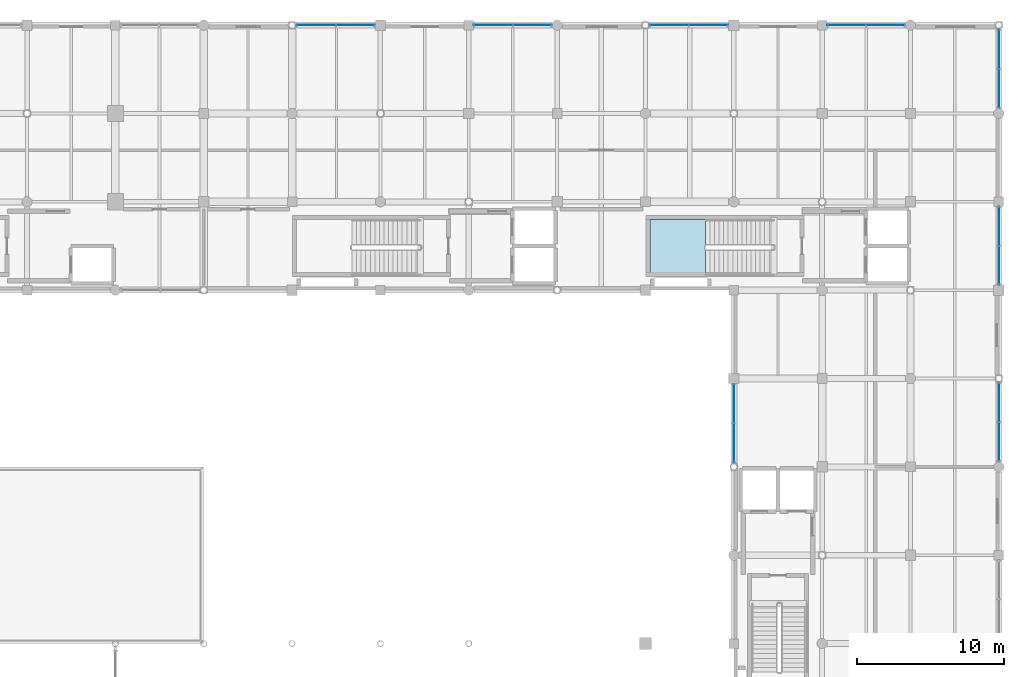
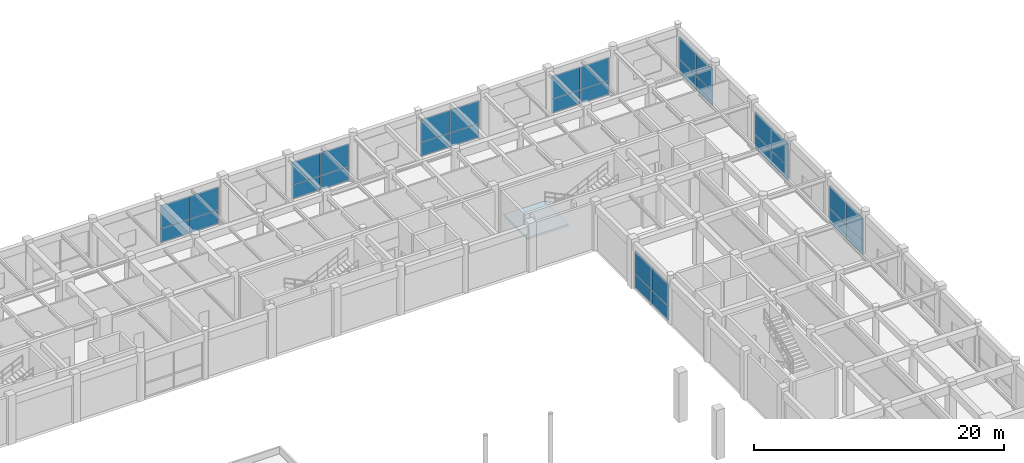
# One storey, part 90 of 123: 32 plates, 1 slab, 9 elements without a shape of their own.
"""IFC4 building model written with IfcOpenShell, lengths in metres."""

from ifc_helpers import new_model, si_unit, direction, frame, frame_2d, origin, place, context, subcontext, project, spatial, polyline, rectangle, outline, extrude, material, layer, layer_set, type_object, element, aggregate, save


model = new_model("IFC4")

# Units and contexts
model_context = context("Model", 3, precision=1e-05, world=origin(), true_north=direction((0.0, 1.0)))
body_context = subcontext(model_context, "Body", "Model", "MODEL_VIEW")
ifc_project = project(units=[si_unit("LENGTHUNIT", "METRE"), si_unit("AREAUNIT", "SQUARE_METRE"), si_unit("VOLUMEUNIT", "CUBIC_METRE"), si_unit("PLANEANGLEUNIT", "RADIAN"), si_unit("MASSUNIT", "GRAM", prefix="KILO"), si_unit("THERMODYNAMICTEMPERATUREUNIT", "KELVIN"), si_unit("POWERUNIT", "WATT")], contexts=[model_context])

# Site, building, storey
site_placement = place(None, origin())
site = spatial("IfcSite", under=ifc_project, at=site_placement, CompositionType="ELEMENT")
building_placement = place(site_placement, origin())
building = spatial("IfcBuilding", under=site, at=building_placement, Name="Phaisarnlok Congress Hotel", CompositionType="ELEMENT")
storey_placement = place(building_placement, frame((0.0, 0.0, 15.0)))
storey = spatial("IfcBuildingStorey", under=building, at=storey_placement, Name="L03", CompositionType="ELEMENT", Elevation=15.0)

# Curtain wall, plates
ifc_material_1 = material(Name="Thermally Broken Unitised Aluminium & Low-E Glazing", Category="aluminium")
curtain_wall_type_1 = type_object("IfcCurtainWallType", Name="CW-UNIT-31", PredefinedType="NOTDEFINED", material=ifc_material_1)
curtain_wall_1_placement = place(storey_placement, origin())
curtain_wall_1 = element("IfcCurtainWall", 1, at=curtain_wall_1_placement, inside=storey, type_object=curtain_wall_type_1, Name="Unitised curtain wall CW-31 (L03)", PredefinedType="NOTDEFINED")
ifc_material_2 = material(Name="Double Low-E Insulated Glazing", Category="glass")
ifc_layer_1 = layer(ifc_material_2, 0.028076171875, Name="Double Low-E Insulated Glazing")
ifc_layer_set_1 = layer_set([ifc_layer_1], Name="Double Low-E Insulated Glazing")
plate_type = type_object("IfcPlateType", Name="CWP-GLZ-28", PredefinedType="CURTAIN_PANEL", material=ifc_layer_set_1)
plate_1_placement = place(storey_placement, frame((162.0, 101.625, 0.0400390625), z_axis=(0.0, 0.0, 1.0), x_axis=(0.0, -1.0, 0.0)))
plate_1 = element("IfcPlate", 2, at=plate_1_placement, type_object=plate_type, Name="Glazed curtain panel CWP-01", PredefinedType="CURTAIN_PANEL", context=body_context, shape_type="SweptSolid", body=[
    extrude(rectangle(XDim=2.657958984375, YDim=0.028076171875, at=frame_2d((1.3291015625, 0.0))), origin(), (0.0, 0.0, 1.0), 1.365966796875),
])
plate_2_placement = place(storey_placement, frame((162.0, 101.625, 1.406005859375), z_axis=(0.0, 0.0, 1.0), x_axis=(0.0, -1.0, 0.0)))
plate_2 = element("IfcPlate", 3, at=plate_2_placement, type_object=plate_type, Name="Glazed curtain panel CWP-01", PredefinedType="CURTAIN_PANEL", context=body_context, shape_type="SweptSolid", body=[
    extrude(rectangle(XDim=2.657958984375, YDim=0.028076171875, at=frame_2d((1.3291015625, 0.0))), origin(), (0.0, 0.0, 1.0), 2.25390625),
])
plate_3_placement = place(storey_placement, frame((162.0, 98.93701171875, 0.0400390625), z_axis=(0.0, 0.0, 1.0), x_axis=(0.0, -1.0, 0.0)))
plate_3 = element("IfcPlate", 4, at=plate_3_placement, type_object=plate_type, Name="Glazed curtain panel CWP-01", PredefinedType="CURTAIN_PANEL", context=body_context, shape_type="SweptSolid", body=[
    extrude(rectangle(XDim=2.657958984375, YDim=0.028076171875, at=frame_2d((1.3291015625, 0.0))), origin(), (0.0, 0.0, 1.0), 1.365966796875),
])
plate_4_placement = place(storey_placement, frame((162.0, 98.93701171875, 1.406005859375), z_axis=(0.0, 0.0, 1.0), x_axis=(0.0, -1.0, 0.0)))
plate_4 = element("IfcPlate", 5, at=plate_4_placement, type_object=plate_type, Name="Glazed curtain panel CWP-01", PredefinedType="CURTAIN_PANEL", context=body_context, shape_type="SweptSolid", body=[
    extrude(rectangle(XDim=2.657958984375, YDim=0.028076171875, at=frame_2d((1.3291015625, 0.0))), origin(), (0.0, 0.0, 1.0), 2.25390625),
])
aggregate(curtain_wall_1, [plate_1, plate_2, plate_3, plate_4])

curtain_wall_2_placement = place(storey_placement, origin())
curtain_wall_2 = element("IfcCurtainWall", 6, at=curtain_wall_2_placement, inside=storey, type_object=curtain_wall_type_1, Name="Unitised curtain wall CW-31 (L03)", PredefinedType="NOTDEFINED")
plate_5_placement = place(storey_placement, frame((180.0, 96.375, 0.0400390625), z_axis=(0.0, 0.0, 1.0), x_axis=(0.0, 1.0, 0.0)))
plate_5 = element("IfcPlate", 7, at=plate_5_placement, type_object=plate_type, Name="Glazed curtain panel CWP-01", PredefinedType="CURTAIN_PANEL", context=body_context, shape_type="SweptSolid", body=[
    extrude(rectangle(XDim=2.657958984375, YDim=0.028076171875, at=frame_2d((1.3291015625, 0.0))), origin(), (0.0, 0.0, 1.0), 1.365966796875),
])
plate_6_placement = place(storey_placement, frame((180.0, 96.375, 1.406005859375), z_axis=(0.0, 0.0, 1.0), x_axis=(0.0, 1.0, 0.0)))
plate_6 = element("IfcPlate", 8, at=plate_6_placement, type_object=plate_type, Name="Glazed curtain panel CWP-01", PredefinedType="CURTAIN_PANEL", context=body_context, shape_type="SweptSolid", body=[
    extrude(rectangle(XDim=2.657958984375, YDim=0.028076171875, at=frame_2d((1.3291015625, 0.0))), origin(), (0.0, 0.0, 1.0), 2.25390625),
])
plate_7_placement = place(storey_placement, frame((180.0, 99.06298828125, 0.0400390625), z_axis=(0.0, 0.0, 1.0), x_axis=(0.0, 1.0, 0.0)))
plate_7 = element("IfcPlate", 9, at=plate_7_placement, type_object=plate_type, Name="Glazed curtain panel CWP-01", PredefinedType="CURTAIN_PANEL", context=body_context, shape_type="SweptSolid", body=[
    extrude(rectangle(XDim=2.657958984375, YDim=0.028076171875, at=frame_2d((1.3291015625, 0.0))), origin(), (0.0, 0.0, 1.0), 1.365966796875),
])
plate_8_placement = place(storey_placement, frame((180.0, 99.06298828125, 1.406005859375), z_axis=(0.0, 0.0, 1.0), x_axis=(0.0, 1.0, 0.0)))
plate_8 = element("IfcPlate", 10, at=plate_8_placement, type_object=plate_type, Name="Glazed curtain panel CWP-01", PredefinedType="CURTAIN_PANEL", context=body_context, shape_type="SweptSolid", body=[
    extrude(rectangle(XDim=2.657958984375, YDim=0.028076171875, at=frame_2d((1.3291015625, 0.0))), origin(), (0.0, 0.0, 1.0), 2.25390625),
])
aggregate(curtain_wall_2, [plate_5, plate_6, plate_7, plate_8])

curtain_wall_type_2 = type_object("IfcCurtainWallType", Name="CW-UNIT-30", PredefinedType="NOTDEFINED", material=ifc_material_1)
curtain_wall_3_placement = place(storey_placement, origin())
curtain_wall_3 = element("IfcCurtainWall", 11, at=curtain_wall_3_placement, inside=storey, type_object=curtain_wall_type_2, Name="Unitised curtain wall CW-30 (L03)", PredefinedType="NOTDEFINED")
plate_9_placement = place(storey_placement, frame((180.0, 108.375, 0.0400390625), z_axis=(0.0, 0.0, 1.0), x_axis=(0.0, 1.0, 0.0)))
plate_9 = element("IfcPlate", 12, at=plate_9_placement, type_object=plate_type, Name="Glazed curtain panel CWP-01", PredefinedType="CURTAIN_PANEL", context=body_context, shape_type="SweptSolid", body=[
    extrude(rectangle(XDim=2.62255859375, YDim=0.028076171875, at=frame_2d((1.311279296875, 0.0))), origin(), (0.0, 0.0, 1.0), 1.365966796875),
])
plate_10_placement = place(storey_placement, frame((180.0, 108.375, 1.406005859375), z_axis=(0.0, 0.0, 1.0), x_axis=(0.0, 1.0, 0.0)))
plate_10 = element("IfcPlate", 13, at=plate_10_placement, type_object=plate_type, Name="Glazed curtain panel CWP-01", PredefinedType="CURTAIN_PANEL", context=body_context, shape_type="SweptSolid", body=[
    extrude(rectangle(XDim=2.62255859375, YDim=0.028076171875, at=frame_2d((1.311279296875, 0.0))), origin(), (0.0, 0.0, 1.0), 2.25390625),
])
plate_11_placement = place(storey_placement, frame((180.0, 111.027587890625, 0.0400390625), z_axis=(0.0, 0.0, 1.0), x_axis=(0.0, 1.0, 0.0)))
plate_11 = element("IfcPlate", 14, at=plate_11_placement, type_object=plate_type, Name="Glazed curtain panel CWP-01", PredefinedType="CURTAIN_PANEL", context=body_context, shape_type="SweptSolid", body=[
    extrude(rectangle(XDim=2.622314453125, YDim=0.028076171875, at=frame_2d((1.31103515625, 0.0))), origin(), (0.0, 0.0, 1.0), 1.365966796875),
])
plate_12_placement = place(storey_placement, frame((180.0, 111.027587890625, 1.406005859375), z_axis=(0.0, 0.0, 1.0), x_axis=(0.0, 1.0, 0.0)))
plate_12 = element("IfcPlate", 15, at=plate_12_placement, type_object=plate_type, Name="Glazed curtain panel CWP-01", PredefinedType="CURTAIN_PANEL", context=body_context, shape_type="SweptSolid", body=[
    extrude(rectangle(XDim=2.622314453125, YDim=0.028076171875, at=frame_2d((1.31103515625, 0.0))), origin(), (0.0, 0.0, 1.0), 2.25390625),
])
aggregate(curtain_wall_3, [plate_9, plate_10, plate_11, plate_12])

curtain_wall_4_placement = place(storey_placement, origin())
curtain_wall_4 = element("IfcCurtainWall", 16, at=curtain_wall_4_placement, inside=storey, type_object=curtain_wall_type_1, Name="Unitised curtain wall CW-31 (L03)", PredefinedType="NOTDEFINED")
plate_13_placement = place(storey_placement, frame((180.0, 120.375, 0.0400390625), z_axis=(0.0, 0.0, 1.0), x_axis=(0.0, 1.0, 0.0)))
plate_13 = element("IfcPlate", 17, at=plate_13_placement, type_object=plate_type, Name="Glazed curtain panel CWP-01", PredefinedType="CURTAIN_PANEL", context=body_context, shape_type="SweptSolid", body=[
    extrude(rectangle(XDim=2.657958984375, YDim=0.028076171875, at=frame_2d((1.3291015625, 0.0))), origin(), (0.0, 0.0, 1.0), 1.365966796875),
])
plate_14_placement = place(storey_placement, frame((180.0, 120.375, 1.406005859375), z_axis=(0.0, 0.0, 1.0), x_axis=(0.0, 1.0, 0.0)))
plate_14 = element("IfcPlate", 18, at=plate_14_placement, type_object=plate_type, Name="Glazed curtain panel CWP-01", PredefinedType="CURTAIN_PANEL", context=body_context, shape_type="SweptSolid", body=[
    extrude(rectangle(XDim=2.657958984375, YDim=0.028076171875, at=frame_2d((1.3291015625, 0.0))), origin(), (0.0, 0.0, 1.0), 2.25390625),
])
plate_15_placement = place(storey_placement, frame((180.0, 123.06298828125, 0.0400390625), z_axis=(0.0, 0.0, 1.0), x_axis=(0.0, 1.0, 0.0)))
plate_15 = element("IfcPlate", 19, at=plate_15_placement, type_object=plate_type, Name="Glazed curtain panel CWP-01", PredefinedType="CURTAIN_PANEL", context=body_context, shape_type="SweptSolid", body=[
    extrude(rectangle(XDim=2.657958984375, YDim=0.028076171875, at=frame_2d((1.3291015625, 0.0))), origin(), (0.0, 0.0, 1.0), 1.365966796875),
])
plate_16_placement = place(storey_placement, frame((180.0, 123.06298828125, 1.406005859375), z_axis=(0.0, 0.0, 1.0), x_axis=(0.0, 1.0, 0.0)))
plate_16 = element("IfcPlate", 20, at=plate_16_placement, type_object=plate_type, Name="Glazed curtain panel CWP-01", PredefinedType="CURTAIN_PANEL", context=body_context, shape_type="SweptSolid", body=[
    extrude(rectangle(XDim=2.657958984375, YDim=0.028076171875, at=frame_2d((1.3291015625, 0.0))), origin(), (0.0, 0.0, 1.0), 2.25390625),
])
aggregate(curtain_wall_4, [plate_13, plate_14, plate_15, plate_16])

curtain_wall_5_placement = place(storey_placement, origin())
curtain_wall_5 = element("IfcCurtainWall", 21, at=curtain_wall_5_placement, inside=storey, type_object=curtain_wall_type_2, Name="Unitised curtain wall CW-30 (L03)", PredefinedType="NOTDEFINED")
plate_17_placement = place(storey_placement, frame((173.625, 126.0, 0.0400390625), z_axis=(0.0, 0.0, 1.0), x_axis=(-1.0, 0.0, 0.0)))
plate_17 = element("IfcPlate", 22, at=plate_17_placement, type_object=plate_type, Name="Glazed curtain panel CWP-01", PredefinedType="CURTAIN_PANEL", context=body_context, shape_type="SweptSolid", body=[
    extrude(rectangle(XDim=2.62255859375, YDim=0.028076171875, at=frame_2d((1.311279296875, 0.0))), origin(), (0.0, 0.0, 1.0), 1.365966796875),
])
plate_18_placement = place(storey_placement, frame((173.625, 126.0, 1.406005859375), z_axis=(0.0, 0.0, 1.0), x_axis=(-1.0, 0.0, 0.0)))
plate_18 = element("IfcPlate", 23, at=plate_18_placement, type_object=plate_type, Name="Glazed curtain panel CWP-01", PredefinedType="CURTAIN_PANEL", context=body_context, shape_type="SweptSolid", body=[
    extrude(rectangle(XDim=2.62255859375, YDim=0.028076171875, at=frame_2d((1.311279296875, 0.0))), origin(), (0.0, 0.0, 1.0), 2.25390625),
])
plate_19_placement = place(storey_placement, frame((170.972412109375, 126.0, 0.0400390625), z_axis=(0.0, 0.0, 1.0), x_axis=(-1.0, 0.0, 0.0)))
plate_19 = element("IfcPlate", 24, at=plate_19_placement, type_object=plate_type, Name="Glazed curtain panel CWP-01", PredefinedType="CURTAIN_PANEL", context=body_context, shape_type="SweptSolid", body=[
    extrude(rectangle(XDim=2.622314453125, YDim=0.028076171875, at=frame_2d((1.31103515625, 0.0))), origin(), (0.0, 0.0, 1.0), 1.365966796875),
])
plate_20_placement = place(storey_placement, frame((170.972412109375, 126.0, 1.406005859375), z_axis=(0.0, 0.0, 1.0), x_axis=(-1.0, 0.0, 0.0)))
plate_20 = element("IfcPlate", 25, at=plate_20_placement, type_object=plate_type, Name="Glazed curtain panel CWP-01", PredefinedType="CURTAIN_PANEL", context=body_context, shape_type="SweptSolid", body=[
    extrude(rectangle(XDim=2.622314453125, YDim=0.028076171875, at=frame_2d((1.31103515625, 0.0))), origin(), (0.0, 0.0, 1.0), 2.25390625),
])
aggregate(curtain_wall_5, [plate_17, plate_18, plate_19, plate_20])

curtain_wall_6_placement = place(storey_placement, origin())
curtain_wall_6 = element("IfcCurtainWall", 26, at=curtain_wall_6_placement, inside=storey, type_object=curtain_wall_type_1, Name="Unitised curtain wall CW-31 (L03)", PredefinedType="NOTDEFINED")
plate_21_placement = place(storey_placement, frame((161.625, 126.0, 0.0400390625), z_axis=(0.0, 0.0, 1.0), x_axis=(-1.0, 0.0, 0.0)))
plate_21 = element("IfcPlate", 27, at=plate_21_placement, type_object=plate_type, Name="Glazed curtain panel CWP-01", PredefinedType="CURTAIN_PANEL", context=body_context, shape_type="SweptSolid", body=[
    extrude(rectangle(XDim=2.657958984375, YDim=0.028076171875, at=frame_2d((1.3291015625, 0.0))), origin(), (0.0, 0.0, 1.0), 1.365966796875),
])
plate_22_placement = place(storey_placement, frame((161.625, 126.0, 1.406005859375), z_axis=(0.0, 0.0, 1.0), x_axis=(-1.0, 0.0, 0.0)))
plate_22 = element("IfcPlate", 28, at=plate_22_placement, type_object=plate_type, Name="Glazed curtain panel CWP-01", PredefinedType="CURTAIN_PANEL", context=body_context, shape_type="SweptSolid", body=[
    extrude(rectangle(XDim=2.657958984375, YDim=0.028076171875, at=frame_2d((1.3291015625, 0.0))), origin(), (0.0, 0.0, 1.0), 2.25390625),
])
plate_23_placement = place(storey_placement, frame((158.93701171875, 126.0, 0.0400390625), z_axis=(0.0, 0.0, 1.0), x_axis=(-1.0, 0.0, 0.0)))
plate_23 = element("IfcPlate", 29, at=plate_23_placement, type_object=plate_type, Name="Glazed curtain panel CWP-01", PredefinedType="CURTAIN_PANEL", context=body_context, shape_type="SweptSolid", body=[
    extrude(rectangle(XDim=2.657958984375, YDim=0.028076171875, at=frame_2d((1.3291015625, 0.0))), origin(), (0.0, 0.0, 1.0), 1.365966796875),
])
plate_24_placement = place(storey_placement, frame((158.93701171875, 126.0, 1.406005859375), z_axis=(0.0, 0.0, 1.0), x_axis=(-1.0, 0.0, 0.0)))
plate_24 = element("IfcPlate", 30, at=plate_24_placement, type_object=plate_type, Name="Glazed curtain panel CWP-01", PredefinedType="CURTAIN_PANEL", context=body_context, shape_type="SweptSolid", body=[
    extrude(rectangle(XDim=2.657958984375, YDim=0.028076171875, at=frame_2d((1.3291015625, 0.0))), origin(), (0.0, 0.0, 1.0), 2.25390625),
])
aggregate(curtain_wall_6, [plate_21, plate_22, plate_23, plate_24])

curtain_wall_7_placement = place(storey_placement, origin())
curtain_wall_7 = element("IfcCurtainWall", 31, at=curtain_wall_7_placement, inside=storey, type_object=curtain_wall_type_2, Name="Unitised curtain wall CW-30 (L03)", PredefinedType="NOTDEFINED")
plate_25_placement = place(storey_placement, frame((149.625, 126.0, 0.0400390625), z_axis=(0.0, 0.0, 1.0), x_axis=(-1.0, 0.0, 0.0)))
plate_25 = element("IfcPlate", 32, at=plate_25_placement, type_object=plate_type, Name="Glazed curtain panel CWP-01", PredefinedType="CURTAIN_PANEL", context=body_context, shape_type="SweptSolid", body=[
    extrude(rectangle(XDim=2.62255859375, YDim=0.028076171875, at=frame_2d((1.311279296875, 0.0))), origin(), (0.0, 0.0, 1.0), 1.365966796875),
])
plate_26_placement = place(storey_placement, frame((149.625, 126.0, 1.406005859375), z_axis=(0.0, 0.0, 1.0), x_axis=(-1.0, 0.0, 0.0)))
plate_26 = element("IfcPlate", 33, at=plate_26_placement, type_object=plate_type, Name="Glazed curtain panel CWP-01", PredefinedType="CURTAIN_PANEL", context=body_context, shape_type="SweptSolid", body=[
    extrude(rectangle(XDim=2.62255859375, YDim=0.028076171875, at=frame_2d((1.311279296875, 0.0))), origin(), (0.0, 0.0, 1.0), 2.25390625),
])
plate_27_placement = place(storey_placement, frame((146.972412109375, 126.0, 0.0400390625), z_axis=(0.0, 0.0, 1.0), x_axis=(-1.0, 0.0, 0.0)))
plate_27 = element("IfcPlate", 34, at=plate_27_placement, type_object=plate_type, Name="Glazed curtain panel CWP-01", PredefinedType="CURTAIN_PANEL", context=body_context, shape_type="SweptSolid", body=[
    extrude(rectangle(XDim=2.622314453125, YDim=0.028076171875, at=frame_2d((1.31103515625, 0.0))), origin(), (0.0, 0.0, 1.0), 1.365966796875),
])
plate_28_placement = place(storey_placement, frame((146.972412109375, 126.0, 1.406005859375), z_axis=(0.0, 0.0, 1.0), x_axis=(-1.0, 0.0, 0.0)))
plate_28 = element("IfcPlate", 35, at=plate_28_placement, type_object=plate_type, Name="Glazed curtain panel CWP-01", PredefinedType="CURTAIN_PANEL", context=body_context, shape_type="SweptSolid", body=[
    extrude(rectangle(XDim=2.622314453125, YDim=0.028076171875, at=frame_2d((1.31103515625, 0.0))), origin(), (0.0, 0.0, 1.0), 2.25390625),
])
aggregate(curtain_wall_7, [plate_25, plate_26, plate_27, plate_28])

curtain_wall_8_placement = place(storey_placement, origin())
curtain_wall_8 = element("IfcCurtainWall", 36, at=curtain_wall_8_placement, inside=storey, type_object=curtain_wall_type_1, Name="Unitised curtain wall CW-31 (L03)", PredefinedType="NOTDEFINED")
plate_29_placement = place(storey_placement, frame((137.625, 126.0, 0.0400390625), z_axis=(0.0, 0.0, 1.0), x_axis=(-1.0, 0.0, 0.0)))
plate_29 = element("IfcPlate", 37, at=plate_29_placement, type_object=plate_type, Name="Glazed curtain panel CWP-01", PredefinedType="CURTAIN_PANEL", context=body_context, shape_type="SweptSolid", body=[
    extrude(rectangle(XDim=2.657958984375, YDim=0.028076171875, at=frame_2d((1.3291015625, 0.0))), origin(), (0.0, 0.0, 1.0), 1.365966796875),
])
plate_30_placement = place(storey_placement, frame((137.625, 126.0, 1.406005859375), z_axis=(0.0, 0.0, 1.0), x_axis=(-1.0, 0.0, 0.0)))
plate_30 = element("IfcPlate", 38, at=plate_30_placement, type_object=plate_type, Name="Glazed curtain panel CWP-01", PredefinedType="CURTAIN_PANEL", context=body_context, shape_type="SweptSolid", body=[
    extrude(rectangle(XDim=2.657958984375, YDim=0.028076171875, at=frame_2d((1.3291015625, 0.0))), origin(), (0.0, 0.0, 1.0), 2.25390625),
])
plate_31_placement = place(storey_placement, frame((134.93701171875, 126.0, 0.0400390625), z_axis=(0.0, 0.0, 1.0), x_axis=(-1.0, 0.0, 0.0)))
plate_31 = element("IfcPlate", 39, at=plate_31_placement, type_object=plate_type, Name="Glazed curtain panel CWP-01", PredefinedType="CURTAIN_PANEL", context=body_context, shape_type="SweptSolid", body=[
    extrude(rectangle(XDim=2.657958984375, YDim=0.028076171875, at=frame_2d((1.3291015625, 0.0))), origin(), (0.0, 0.0, 1.0), 1.365966796875),
])
plate_32_placement = place(storey_placement, frame((134.93701171875, 126.0, 1.406005859375), z_axis=(0.0, 0.0, 1.0), x_axis=(-1.0, 0.0, 0.0)))
plate_32 = element("IfcPlate", 40, at=plate_32_placement, type_object=plate_type, Name="Glazed curtain panel CWP-01", PredefinedType="CURTAIN_PANEL", context=body_context, shape_type="SweptSolid", body=[
    extrude(rectangle(XDim=2.657958984375, YDim=0.028076171875, at=frame_2d((1.3291015625, 0.0))), origin(), (0.0, 0.0, 1.0), 2.25390625),
])
aggregate(curtain_wall_8, [plate_29, plate_30, plate_31, plate_32])

# Stair, slab
ifc_material_3 = material(Name="Concrete C40/50", Category="concrete")
stair_type = type_object("IfcStairType", Name="STR-DOG-01", PredefinedType="HALF_TURN_STAIR", material=ifc_material_3)
stair_placement = place(storey_placement, origin())
stair = element("IfcStair", 41, at=stair_placement, inside=storey, type_object=stair_type, Name="L03 ST-05", PredefinedType="HALF_TURN_STAIR")
ifc_layer_2 = layer(ifc_material_3, 0.199951171875, Name="Concrete C40/50")
ifc_layer_set_2 = layer_set([ifc_layer_2], Name="Concrete C40/50")
slab_type = type_object("IfcSlabType", Name="SLB-LND-200", PredefinedType="LANDING", material=ifc_layer_set_2)
slab_placement = place(storey_placement, frame((0.0, 0.0, 2.199951171875)))
slab = element("IfcSlab", 42, at=slab_placement, type_object=slab_type, Name="ST-05 landing 1", PredefinedType="LANDING", context=body_context, shape_type="SweptSolid", body=[
    extrude(outline(polyline([(160.070068359375, 112.800048828125), (156.300048828125, 112.800048828125), (156.300048828125, 109.0), (160.070068359375, 109.0), (160.070068359375, 112.800048828125)])), origin(), (0.0, 0.0, 1.0), 0.199951171875),
])
aggregate(stair, [slab])

save(model, "model.ifc")
